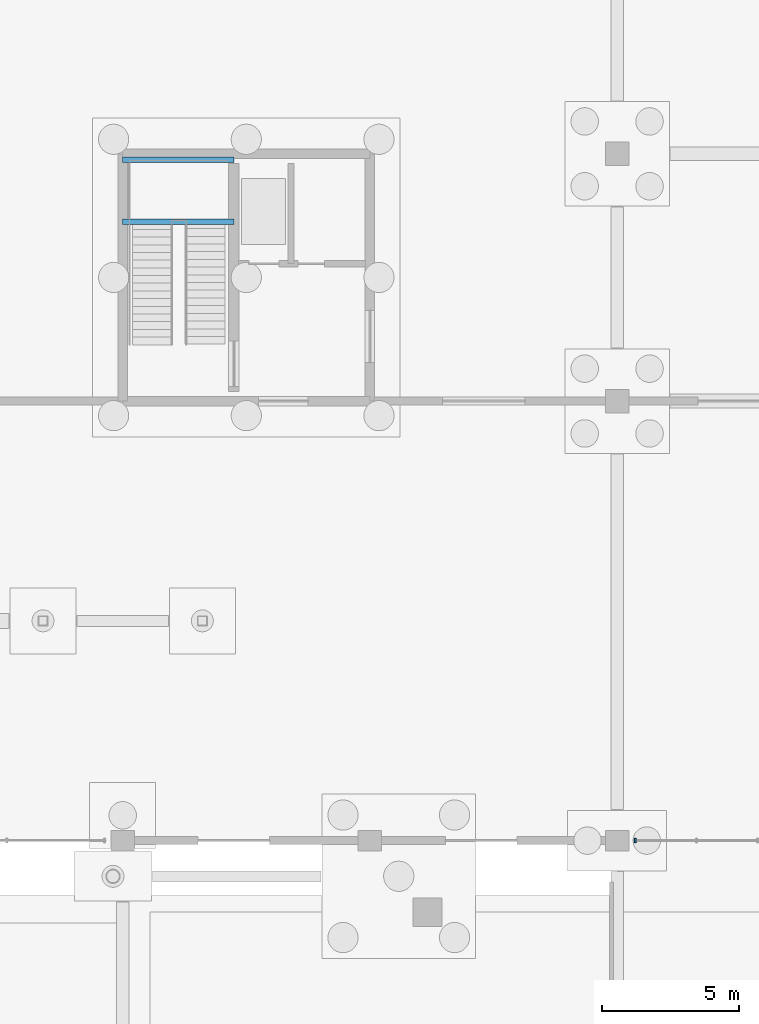
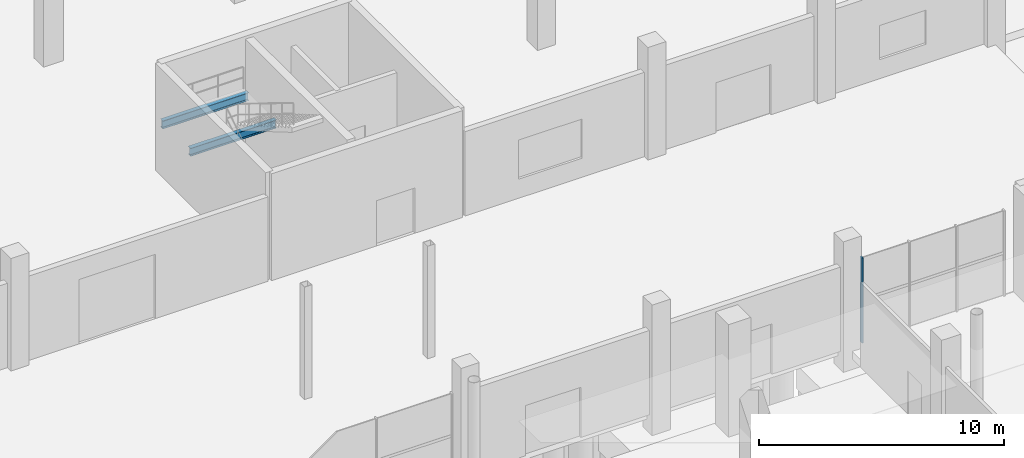
# One storey, part 46 of 98: 2 beams, 1 member, 1 element without a shape of its own.
"""IFC4 building model written with IfcOpenShell, lengths in metres."""

from ifc_helpers import new_model, si_unit, derived_unit, direction, frame, origin, origin_2d, place, context, subcontext, project, spatial, rectangle, i_section, extrude, material, layer, layer_set, material_profile, profile_set, type_object, element, aggregate, save


model = new_model("IFC4")

# Units and contexts
model_context = context("Model", 3, precision=1e-05, world=origin(), true_north=direction((0.0, 1.0)))
body_context = subcontext(model_context, "Body", "Model", "MODEL_VIEW")
ifc_project = project(units=[si_unit("LENGTHUNIT", "METRE"), si_unit("AREAUNIT", "SQUARE_METRE"), si_unit("VOLUMEUNIT", "CUBIC_METRE"), si_unit("PLANEANGLEUNIT", "RADIAN"), si_unit("MASSUNIT", "GRAM", prefix="KILO"), si_unit("THERMODYNAMICTEMPERATUREUNIT", "KELVIN"), derived_unit("THERMALTRANSMITTANCEUNIT", [(si_unit("POWERUNIT", "WATT"), 1), (si_unit("AREAUNIT", "SQUARE_METRE"), -1), (si_unit("THERMODYNAMICTEMPERATUREUNIT", "KELVIN"), -1)])], contexts=[model_context])

# Site, building, storey
site_placement = place(None, origin())
site = spatial("IfcSite", under=ifc_project, at=site_placement, CompositionType="ELEMENT")
building_placement = place(site_placement, origin())
building = spatial("IfcBuilding", under=site, at=building_placement, Name="Haiyu Intermodal Mobility Hub", CompositionType="ELEMENT")
storey_placement = place(building_placement, origin())
storey = spatial("IfcBuildingStorey", under=building, at=storey_placement, Name="L00", CompositionType="ELEMENT", Elevation=0.0)

# Beams
ifc_material_1 = material(Name="Steel Q355C", Category="steel")
ifc_material_profile_1 = material_profile(ifc_material_1, i_section(OverallWidth=0.199951171875, OverallDepth=0.39990234375, WebThickness=0.008056640625, FlangeThickness=0.012939453125, FilletRadius=0.01611328125, at=origin_2d()), Name="HN400x200x8x13")
ifc_profile_set_1 = profile_set([ifc_material_profile_1], Name="Steel Q355C")
beam_type = type_object("IfcBeamType", Name="BM-SB08", PredefinedType="JOIST", material=ifc_profile_set_1)
for number, where, z_axis, x_axis, name in (
    (1, (120.0, 110.530029296875, 2.375), (1.0, 0.0, 0.0), (0.0, 1.0, 0.0), "Stair Half-Landing Front Beam C6-L00"),
    (2, (120.0, 112.780029296875, 2.375), (1.0, 0.0, 0.0), (0.0, 1.0, 0.0), "Stair Half-Landing Rear Beam C6-L00"),
):
    element("IfcBeam", number, at=place(storey_placement, frame(where, z_axis=z_axis, x_axis=x_axis)), inside=storey, type_object=beam_type, Name=name, PredefinedType="JOIST", context=body_context, shape_type="SweptSolid", body=[
        extrude(i_section(OverallWidth=0.199951171875, OverallDepth=0.39990234375, WebThickness=0.008056640625, FlangeThickness=0.012939453125, FilletRadius=0.01611328125, at=origin_2d()), origin(), (0.0, 0.0, 1.0), 4.050048828125),
    ])

# Curtain wall, member
ifc_material_2 = material(Name="Low-e laminated insulating glass", Category="glass")
ifc_layer = layer(ifc_material_2, 0.25)
ifc_layer_set = layer_set([ifc_layer], Name="Low-e laminated insulating glass")
curtain_wall_type = type_object("IfcCurtainWallType", Name="CW-CW02", PredefinedType="NOTDEFINED", material=ifc_layer_set)
curtain_wall_placement = place(storey_placement, origin())
curtain_wall = element("IfcCurtainWall", 3, at=curtain_wall_placement, inside=storey, type_object=curtain_wall_type, Name="Curtain Wall CW-V1N-L00-031", PredefinedType="NOTDEFINED")
ifc_material_3 = material(Name="Anodised aluminium 6063-T6", Category="aluminium")
ifc_material_profile_2 = material_profile(ifc_material_3, rectangle(XDim=0.06494140625, YDim=0.1650390625, at=origin_2d()), Name="ALU65x165")
ifc_profile_set_2 = profile_set([ifc_material_profile_2], Name="Anodised aluminium 6063-T6")
member_type = type_object("IfcMemberType", Name="CWM-ML02", PredefinedType="MULLION", material=ifc_profile_set_2)
member_placement = place(storey_placement, frame((138.659912109375, 88.0, 0.0), z_axis=(0.0, 0.0, 1.0), x_axis=(1.0, 0.0, 0.0)))
member = element("IfcMember", 4, at=member_placement, type_object=member_type, Name="CW-V1N-L00-031-ML04", PredefinedType="MULLION", context=body_context, shape_type="SweptSolid", body=[
    extrude(rectangle(XDim=0.06494140625, YDim=0.1650390625, at=origin_2d()), origin(), (0.0, 0.0, 1.0), 4.25),
])
aggregate(curtain_wall, [member])

save(model, "model.ifc")
